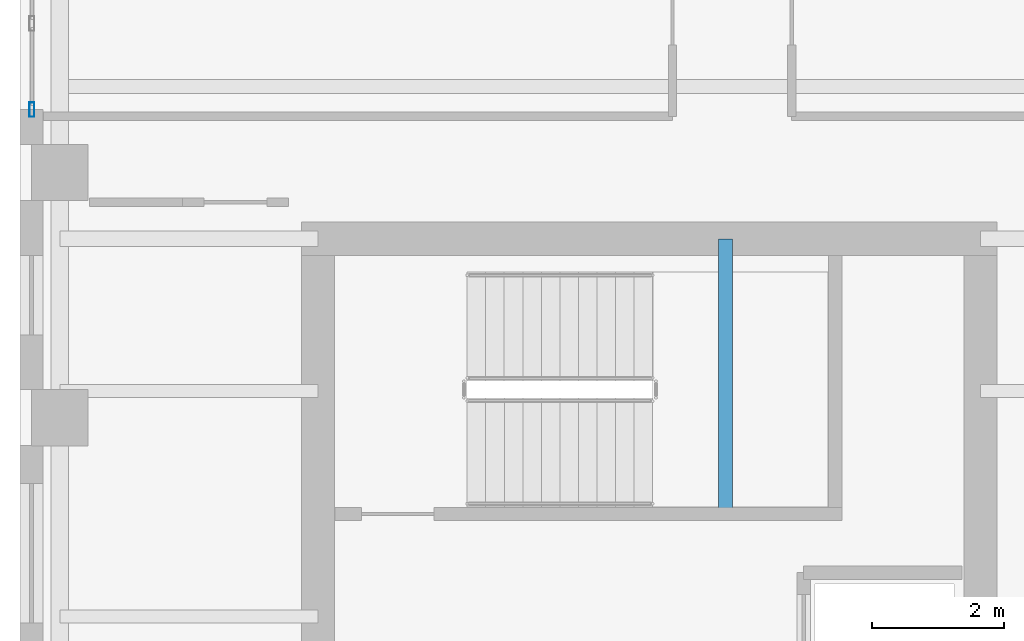
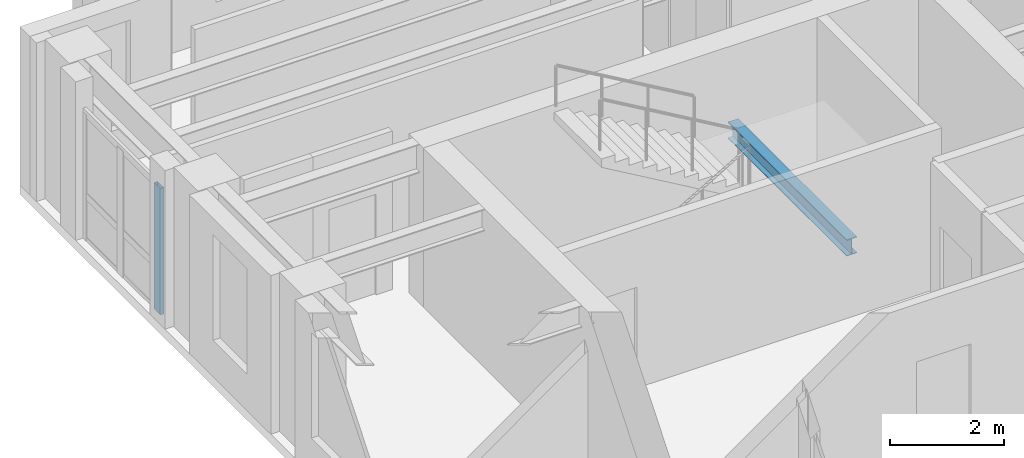
# One storey, part 2 of 12: 1 beam, 1 member, 1 element without a shape of its own.
"""IFC4 building model written with IfcOpenShell, lengths in metres."""

from ifc_helpers import new_model, si_unit, direction, frame, origin, origin_2d, place, context, subcontext, project, spatial, hollow_rectangle, i_section, extrude, source, transform, mapped, material, layer, layer_set, material_profile, profile_set, type_object, element, aggregate, save


model = new_model("IFC4")

# Units and contexts
model_context = context("Model", 3, precision=1e-05, world=origin(), true_north=direction((0.0, 1.0)))
body_context = subcontext(model_context, "Body", "Model", "MODEL_VIEW")
ifc_project = project(units=[si_unit("LENGTHUNIT", "METRE"), si_unit("AREAUNIT", "SQUARE_METRE"), si_unit("VOLUMEUNIT", "CUBIC_METRE"), si_unit("PLANEANGLEUNIT", "RADIAN"), si_unit("MASSUNIT", "GRAM", prefix="KILO")], contexts=[model_context])

# Site, building, storey
site_placement = place(None, origin())
site = spatial("IfcSite", under=ifc_project, at=site_placement, CompositionType="ELEMENT")
building_placement = place(site_placement, origin())
building = spatial("IfcBuilding", under=site, at=building_placement, Name="Kharzan Plaza Tower", CompositionType="ELEMENT")
storey_placement = place(building_placement, frame((0.0, 0.0, 248.39990234375)))
storey = spatial("IfcBuildingStorey", under=building, at=storey_placement, Name="L67", CompositionType="ELEMENT", Elevation=248.39990234375)

# Beam
ifc_material_1 = material(Name="Steel S355", Category="steel")
ifc_material_profile_1 = material_profile(ifc_material_1, i_section(OverallWidth=0.205078125, OverallDepth=0.35400390625, WebThickness=0.009521484375, FlangeThickness=0.016845703125, at=origin_2d()), Name="W360x79")
ifc_profile_set_1 = profile_set([ifc_material_profile_1], Name="Steel S355")
beam_type = type_object("IfcBeamType", Name="BM-LNT360", PredefinedType="LINTEL", material=ifc_profile_set_1)
shared_shape_1 = source(origin(), body_context, "Body", "SweptSolid", [
    extrude(i_section(OverallWidth=0.205078125, OverallDepth=0.35400390625, WebThickness=0.009521484375, FlangeThickness=0.016845703125, at=origin_2d()), origin(), (0.0, 0.0, 1.0), 4.155029296875),
])
beam_placement = place(storey_placement, frame((10.64990234375, 25.344970703125, 1.423095703125), z_axis=(0.0, 1.0, 0.0), x_axis=(-1.0, 0.0, 0.0)))
element("IfcBeam", 1, at=beam_placement, inside=storey, type_object=beam_type, Name="L67 Stair ST-2 Half-Landing Beam", PredefinedType="LINTEL", context=body_context, shape_type="MappedRepresentation", body=[
    mapped(shared_shape_1, transform((0.0, 0.0, 0.0), x_axis=(1.0, 0.0, 0.0), y_axis=(0.0, 1.0, 0.0), z_axis=(0.0, 0.0, 1.0))),
])

# Curtain wall, member
ifc_material_2 = material(Name="Unitised Bronze-Anodized Aluminium and Low-E Glass", Category="aluminium")
ifc_layer = layer(ifc_material_2, 0.199951171875)
ifc_layer_set = layer_set([ifc_layer], Name="Unitised Bronze-Anodized Aluminium and Low-E Glass")
curtain_wall_type = type_object("IfcCurtainWallType", Name="CW-EXEC-5", PredefinedType="NOTDEFINED", material=ifc_layer_set)
curtain_wall_placement = place(storey_placement, origin())
curtain_wall = element("IfcCurtainWall", 2, at=curtain_wall_placement, inside=storey, type_object=curtain_wall_type, Name="L67 Upper Executive Setback Panoramic Curtain Wall", PredefinedType="NOTDEFINED")
ifc_material_3 = material(Name="Anodized Bronze Aluminium", Category="aluminium")
ifc_material_profile_2 = material_profile(ifc_material_3, hollow_rectangle(XDim=0.074951171875, YDim=0.219970703125, WallThickness=0.00390625, at=origin_2d()), Name="ALU-M220x75x4")
ifc_profile_set_2 = profile_set([ifc_material_profile_2], Name="Anodized Bronze Aluminium")
member_type = type_object("IfcMemberType", Name="MEM-CW-MUL200", PredefinedType="MULLION", material=ifc_profile_set_2)
shared_shape_2 = source(origin(), body_context, "Body", "SweptSolid", [
    extrude(hollow_rectangle(XDim=0.074951171875, YDim=0.219970703125, WallThickness=0.00390625, at=origin_2d()), origin(), (0.0, 0.0, 1.0), 2.7001953125),
])
member_placement = place(storey_placement, frame((0.179931640625, 31.449951171875, 0.0), z_axis=(0.0, 0.0, 1.0), x_axis=(1.0, 0.0, 0.0)))
member = element("IfcMember", 3, at=member_placement, type_object=member_type, Name="L67 Curtain-Wall Mullion 00", PredefinedType="MULLION", context=body_context, shape_type="MappedRepresentation", body=[
    mapped(shared_shape_2, transform((0.0, 0.0, 0.0), x_axis=(1.0, 0.0, 0.0), y_axis=(0.0, 1.0, 0.0), z_axis=(0.0, 0.0, 1.0))),
])
aggregate(curtain_wall, [member])

save(model, "model.ifc")
